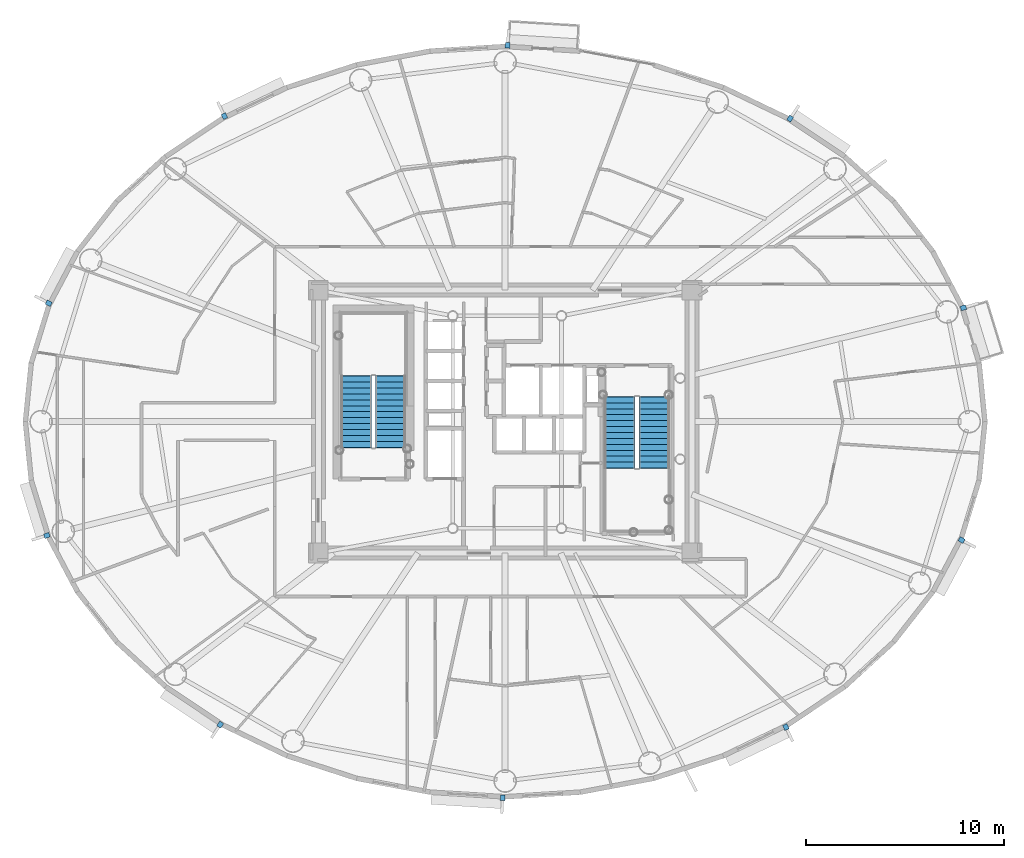
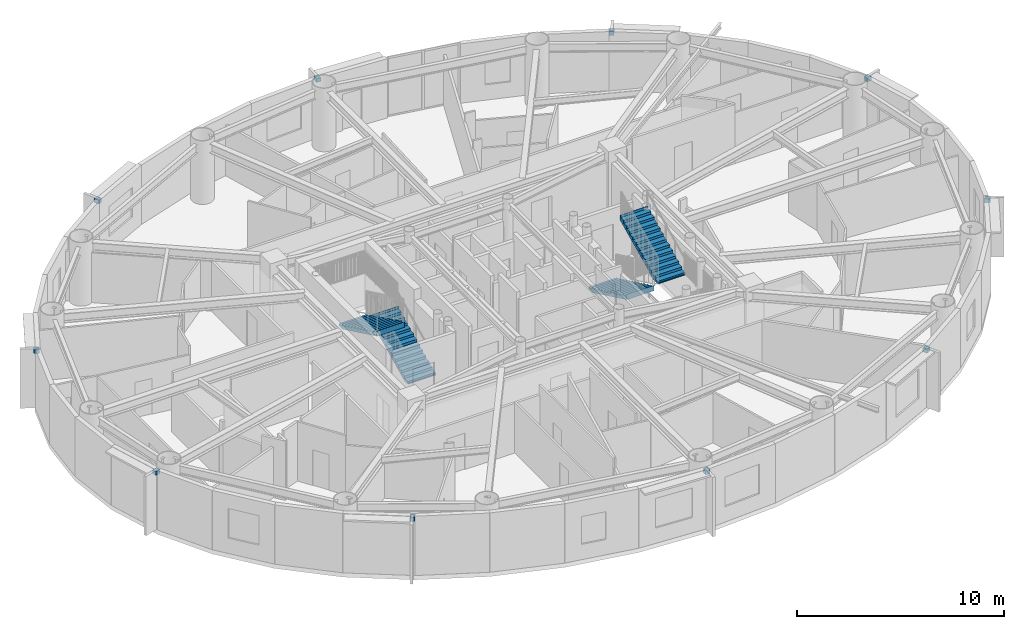
# One storey, part 12 of 20: 10 discrete accessories, 4 stair flights, 2 elements without a shape of their own.
"""IFC4 building model written with IfcOpenShell, lengths in metres."""

from ifc_helpers import new_model, si_unit, direction, frame, origin, origin_2d, place, context, subcontext, project, spatial, polyline, rectangle, outline, extrude, source, transform, mapped, material, type_object, element, aggregate, save


model = new_model("IFC4")

# Units and contexts
model_context = context("Model", 3, precision=1e-05, world=origin(), true_north=direction((0.0, 1.0)))
body_context = subcontext(model_context, "Body", "Model", "MODEL_VIEW")
ifc_project = project(units=[si_unit("LENGTHUNIT", "METRE"), si_unit("AREAUNIT", "SQUARE_METRE"), si_unit("VOLUMEUNIT", "CUBIC_METRE"), si_unit("PLANEANGLEUNIT", "RADIAN"), si_unit("MASSUNIT", "GRAM", prefix="KILO")], contexts=[model_context])

# Site, building, storey
site_placement = place(None, origin())
site = spatial("IfcSite", under=ifc_project, at=site_placement, CompositionType="ELEMENT")
building_placement = place(site_placement, origin())
building = spatial("IfcBuilding", under=site, at=building_placement, Name="Linh Dai School and Residence Tower", CompositionType="ELEMENT")
storey_placement = place(building_placement, frame((0.0, 0.0, 221.550048828125)))
storey = spatial("IfcBuildingStorey", under=building, at=storey_placement, Name="L54", CompositionType="ELEMENT", Elevation=221.550048828125)

# Stair, stair flights
ifc_material_1 = material(Name="Concrete B45 (C35/45)", Category="concrete")
stair_type = type_object("IfcStairType", Name="ST-DOG-1550-R1442", PredefinedType="HALF_TURN_STAIR", material=ifc_material_1)
stair_1_placement = place(storey_placement, origin())
stair_1 = element("IfcStair", 1, at=stair_1_placement, inside=storey, type_object=stair_type, Name="L54 Core Smokeproof Exit Stair ST1", PredefinedType="HALF_TURN_STAIR")
stair_flight_type = type_object("IfcStairFlightType", Name="STF-STR-1550-R1442", PredefinedType="STRAIGHT", material=ifc_material_1)
shared_shape_1 = source(origin(), body_context, "Body", "SweptSolid", [
    extrude(outline(polyline([(-0.02490234375, 0.0), (-0.02490234375, 0.06005859375), (0.0, 0.06005859375), (0.0, 0.144287109375), (0.300048828125, 0.144287109375), (0.300048828125, 0.28857421875), (0.60009765625, 0.28857421875), (0.60009765625, 0.4326171875), (0.89990234375, 0.4326171875), (0.89990234375, 0.576904296875), (1.199951171875, 0.576904296875), (1.199951171875, 0.72119140625), (1.5, 0.72119140625), (1.5, 0.865478515625), (1.800048828125, 0.865478515625), (1.800048828125, 1.009521484375), (2.10009765625, 1.009521484375), (2.10009765625, 1.15380859375), (2.39990234375, 1.15380859375), (2.39990234375, 1.298095703125), (2.699951171875, 1.298095703125), (2.699951171875, 1.4423828125), (3.0, 1.4423828125), (3.0, 1.58642578125), (3.300048828125, 1.58642578125), (3.300048828125, 1.730712890625), (3.60009765625, 1.730712890625), (3.60009765625, 1.875), (3.625, 1.875), (3.625, 1.564453125), (3.60009765625, 1.564453125), (0.345947265625, 0.0), (-0.02490234375, 0.0)])), frame((0.0, 0.77490234375, 0.0), z_axis=(0.0, -1.0, 0.0), x_axis=(1.0, 0.0, 0.0)), (0.0, 0.0, 1.0), 1.550048828125),
])
stair_flight_1_placement = place(storey_placement, frame((30.205078125, 25.699951171875, 0.0), z_axis=(0.0, 0.0, 1.0), x_axis=(0.0, 1.0, 0.0)))
stair_flight_1 = element("IfcStairFlight", 2, at=stair_flight_1_placement, type_object=stair_flight_type, Name="ST1 flight 1", NumberOfRisers=13, NumberOfTreads=12, PredefinedType="STRAIGHT", RiserHeight=0.144230769, TreadLength=0.3, context=body_context, shape_type="MappedRepresentation", body=[
    mapped(shared_shape_1, transform((0.0, 0.0, 0.0), x_axis=(1.0, 0.0, 0.0), y_axis=(0.0, 1.0, 0.0), z_axis=(0.0, 0.0, 1.0), scale=1.0)),
])
stair_flight_2_placement = place(storey_placement, frame((28.455078125, 29.300048828125, 1.875), z_axis=(0.0, 0.0, 1.0), x_axis=(0.0, -1.0, 0.0)))
stair_flight_2 = element("IfcStairFlight", 3, at=stair_flight_2_placement, type_object=stair_flight_type, Name="ST1 flight 2", NumberOfRisers=13, NumberOfTreads=12, PredefinedType="STRAIGHT", RiserHeight=0.144230769, TreadLength=0.3, context=body_context, shape_type="MappedRepresentation", body=[
    mapped(shared_shape_1, transform((0.0, 0.0, 0.0), x_axis=(1.0, 0.0, 0.0), y_axis=(0.0, 1.0, 0.0), z_axis=(0.0, 0.0, 1.0), scale=1.0)),
])
aggregate(stair_1, [stair_flight_1, stair_flight_2])

stair_2_placement = place(storey_placement, origin())
stair_2 = element("IfcStair", 4, at=stair_2_placement, inside=storey, type_object=stair_type, Name="L54 Core Smokeproof Exit Stair ST2", PredefinedType="HALF_TURN_STAIR")
stair_flight_3_placement = place(storey_placement, frame((41.794921875, 28.25, 0.0), z_axis=(0.0, 0.0, 1.0), x_axis=(0.0, -1.0, 0.0)))
stair_flight_3 = element("IfcStairFlight", 5, at=stair_flight_3_placement, type_object=stair_flight_type, Name="ST2 flight 1", NumberOfRisers=13, NumberOfTreads=12, PredefinedType="STRAIGHT", RiserHeight=0.144230769, TreadLength=0.3, context=body_context, shape_type="MappedRepresentation", body=[
    mapped(shared_shape_1, transform((0.0, 0.0, 0.0), x_axis=(1.0, 0.0, 0.0), y_axis=(0.0, 1.0, 0.0), z_axis=(0.0, 0.0, 1.0), scale=1.0)),
])
stair_flight_4_placement = place(storey_placement, frame((43.544921875, 24.64990234375, 1.875), z_axis=(0.0, 0.0, 1.0), x_axis=(0.0, 1.0, 0.0)))
stair_flight_4 = element("IfcStairFlight", 6, at=stair_flight_4_placement, type_object=stair_flight_type, Name="ST2 flight 2", NumberOfRisers=13, NumberOfTreads=12, PredefinedType="STRAIGHT", RiserHeight=0.144230769, TreadLength=0.3, context=body_context, shape_type="MappedRepresentation", body=[
    mapped(shared_shape_1, transform((0.0, 0.0, 0.0), x_axis=(1.0, 0.0, 0.0), y_axis=(0.0, 1.0, 0.0), z_axis=(0.0, 0.0, 1.0), scale=1.0)),
])
aggregate(stair_2, [stair_flight_3, stair_flight_4])

# Discrete accessories
ifc_material_2 = material(Name="Structural Steel S355JR", Category="steel")
discrete_accessory_type = type_object("IfcDiscreteAccessoryType", Name="ACC-BRK-S355", PredefinedType="BRACKET", material=ifc_material_2)
shared_shape_2 = source(origin(), body_context, "Body", "SweptSolid", [
    extrude(rectangle(XDim=0.280029296875, YDim=0.239990234375, at=origin_2d()), origin(), (0.0, 0.0, 1.0), 0.219970703125),
])
for number, where, z_axis, x_axis, name in (
    (7, (59.182861328125, 32.7587890625, 3.25), (0.0, 0.0, 1.0), (0.956064190994, 0.2931574026, 0.0), "L54 Facade Frame Anchor Bracket 02"),
    (8, (50.413330078125, 42.330810546875, 3.25), (0.0, 0.0, 1.0), (0.555887222025, 0.831257719597, 0.0), "L54 Facade Frame Anchor Bracket 06"),
    (9, (36.12353515625, 46.032470703125, 3.25), (0.0, 0.0, 1.0), (0.061504437922, 0.998106809974, 0.0), "L54 Facade Frame Anchor Bracket 10"),
    (10, (21.802001953125, 42.45361328125, 3.25), (0.0, 0.0, 1.0), (-0.432593941973, 0.901588864931, 0.0), "L54 Facade Frame Anchor Bracket 14"),
    (11, (12.912841796875, 32.989990234375, 3.25), (0.0, 0.0, 1.0), (-0.883928950783, 0.467621224891, 0.0), "L54 Facade Frame Anchor Bracket 18"),
    (12, (12.817138671875, 21.2412109375, 3.25), (0.0, 0.0, 1.0), (-0.956064190994, -0.2931574026, 0.0), "L54 Facade Frame Anchor Bracket 22"),
    (13, (21.586669921875, 11.669189453125, 3.25), (0.0, 0.0, 1.0), (-0.555887222025, -0.831257719597, 0.0), "L54 Facade Frame Anchor Bracket 26"),
    (14, (35.87646484375, 7.967529296875, 3.25), (0.0, 0.0, 1.0), (-0.061504437922, -0.998106809974, 0.0), "L54 Facade Frame Anchor Bracket 30"),
    (15, (50.197998046875, 11.54638671875, 3.25), (0.0, 0.0, 1.0), (0.432593941973, -0.901588864931, 0.0), "L54 Facade Frame Anchor Bracket 34"),
    (16, (59.087158203125, 21.010009765625, 3.25), (0.0, 0.0, 1.0), (0.883928950783, -0.467621224891, 0.0), "L54 Facade Frame Anchor Bracket 38"),
):
    element("IfcDiscreteAccessory", number, at=place(storey_placement, frame(where, z_axis=z_axis, x_axis=x_axis)), inside=storey, type_object=discrete_accessory_type, Name=name, PredefinedType="BRACKET", context=body_context, shape_type="MappedRepresentation", body=[
        mapped(shared_shape_2, transform((0.0, 0.0, 0.0), x_axis=(1.0, 0.0, 0.0), y_axis=(0.0, 1.0, 0.0), z_axis=(0.0, 0.0, 1.0), scale=1.0)),
    ])

save(model, "model.ifc")
